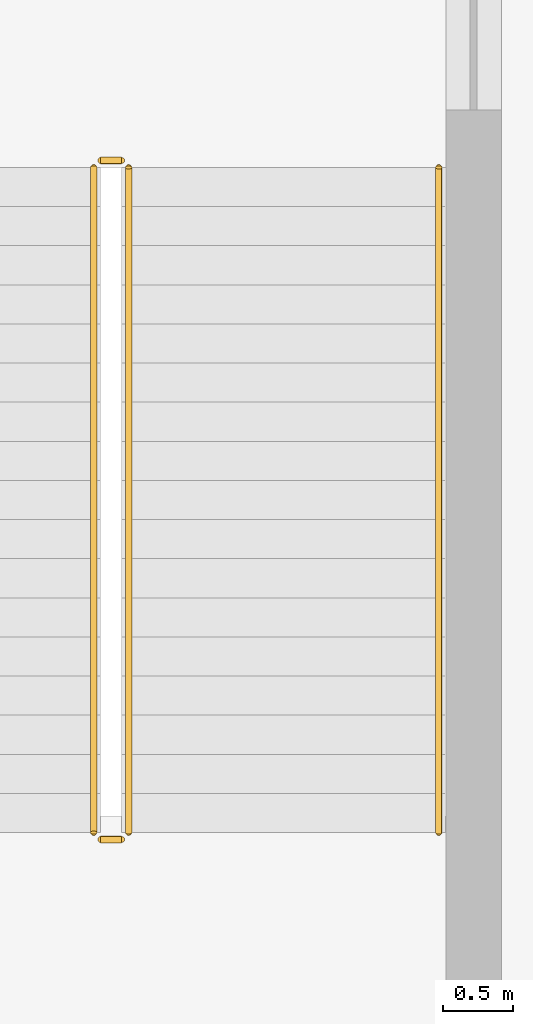
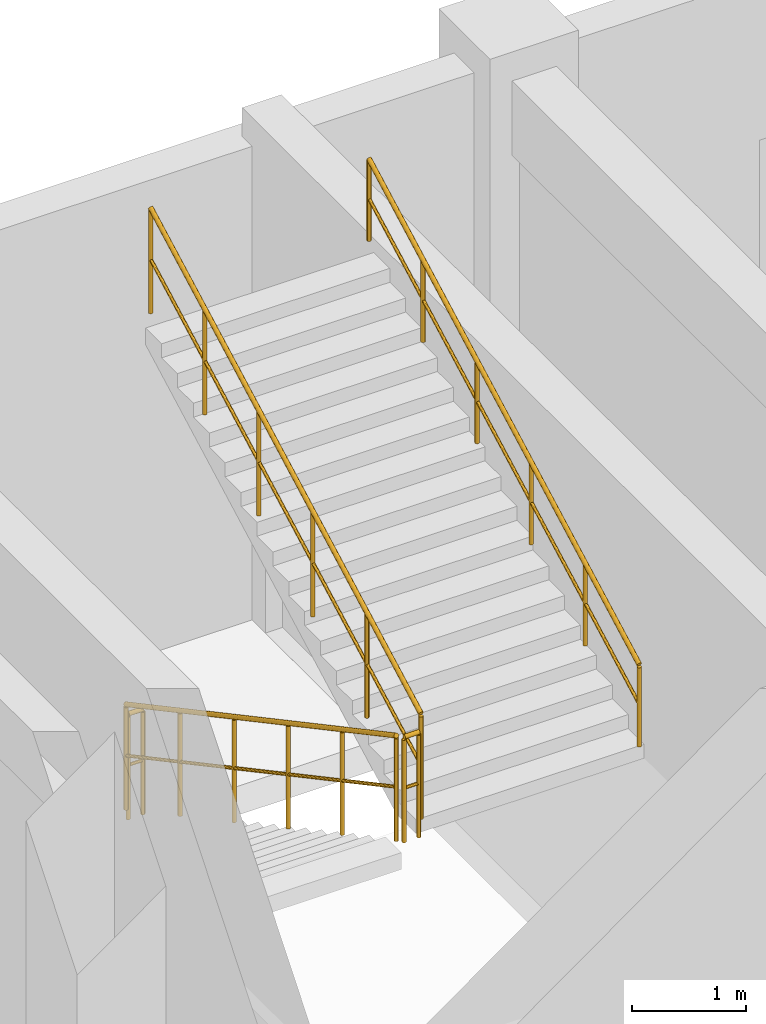
# One storey, part 111 of 114: 5 railings.
"""IFC4 building model written with IfcOpenShell, lengths in metres."""

from ifc_helpers import new_model, si_unit, derived_unit, direction, frame, origin, origin_2d, place, context, subcontext, project, spatial, circle, extrude, material, type_object, element, save


model = new_model("IFC4")

# Units and contexts
model_context = context("Model", 3, precision=1e-05, world=origin(), true_north=direction((0.0, 1.0)))
body_context = subcontext(model_context, "Body", "Model", "MODEL_VIEW")
ifc_project = project(units=[si_unit("LENGTHUNIT", "METRE"), si_unit("AREAUNIT", "SQUARE_METRE"), si_unit("VOLUMEUNIT", "CUBIC_METRE"), si_unit("PLANEANGLEUNIT", "RADIAN"), si_unit("MASSUNIT", "GRAM", prefix="KILO"), derived_unit("THERMALTRANSMITTANCEUNIT", [(si_unit("MASSUNIT", "GRAM", prefix="KILO"), 1), (si_unit("TIMEUNIT", "SECOND"), -3), (si_unit("THERMODYNAMICTEMPERATUREUNIT", "KELVIN"), -1)])], contexts=[model_context])

# Site, building, storey
site_placement = place(None, origin())
site = spatial("IfcSite", under=ifc_project, at=site_placement, CompositionType="ELEMENT")
building_placement = place(site_placement, origin())
building = spatial("IfcBuilding", under=site, at=building_placement, Name="Qinzheling Arcade Emporium", CompositionType="ELEMENT")
storey_placement = place(building_placement, frame((0.0, 0.0, 6.0)))
storey = spatial("IfcBuildingStorey", under=building, at=storey_placement, Name="L02", CompositionType="ELEMENT", Elevation=6.0)

# Railings
ifc_material_1 = material(Name="Galvanised powder-coated tubular steel", Category="steel")
railing_type_1 = type_object("IfcRailingType", Name="Painted Steel Stairwell Guard Railing 1150", PredefinedType="GUARDRAIL", material=ifc_material_1)
railing_1_placement = place(storey_placement, frame((73.070068359375, 112.280029296875, 0.14990234375)))
element("IfcRailing", 1, at=railing_1_placement, inside=storey, type_object=railing_type_1, Name="L02 ST07 stair guard 1", PredefinedType="GUARDRAIL", context=body_context, shape_type="SweptSolid", body=[
    extrude(circle(Radius=0.02392578125, at=origin_2d()), frame((0.0, 0.0, 1.1259765625), z_axis=(0.0, -0.881476609435, 0.47222768557), x_axis=(1.0, 0.0, 0.0)), (0.0, 0.0, 1.0), 5.400146484375),
    extrude(circle(Radius=0.01611328125, at=origin_2d()), frame((0.0, 0.0, 0.574951171875), z_axis=(0.0, -0.881476609435, 0.47222768557), x_axis=(1.0, 0.0, 0.0)), (0.0, 0.0, 1.0), 5.400146484375),
    extrude(circle(Radius=0.02099609375, at=origin_2d()), origin(), (0.0, 0.0, 1.0), 1.101806640625),
    extrude(circle(Radius=0.02099609375, at=origin_2d()), frame((0.0, -0.951904296875, 0.510009765625)), (0.0, 0.0, 1.0), 1.101806640625),
    extrude(circle(Radius=0.02099609375, at=origin_2d()), frame((0.0, -1.904052734375, 1.02001953125)), (0.0, 0.0, 1.0), 1.101806640625),
    extrude(circle(Radius=0.02099609375, at=origin_2d()), frame((0.0, -2.85595703125, 1.530029296875)), (0.0, 0.0, 1.0), 1.101806640625),
    extrude(circle(Radius=0.02099609375, at=origin_2d()), frame((0.0, -3.80810546875, 2.0400390625)), (0.0, 0.0, 1.0), 1.101806640625),
    extrude(circle(Radius=0.02099609375, at=origin_2d()), frame((0.0, -4.760009765625, 2.550048828125)), (0.0, 0.0, 1.0), 1.101806640625),
])
railing_2_placement = place(storey_placement, frame((73.1201171875, 107.469970703125, 2.699951171875)))
element("IfcRailing", 2, at=railing_2_placement, inside=storey, type_object=railing_type_1, Name="L02 ST07 stair guard 2", PredefinedType="GUARDRAIL", context=body_context, shape_type="SweptSolid", body=[
    extrude(circle(Radius=0.02392578125, at=origin_2d()), frame((0.0, 0.0, 1.1259765625), z_axis=(1.0, 0.0, 0.0), x_axis=(0.0, 1.0, 0.0)), (0.0, 0.0, 1.0), 0.14990234375),
    extrude(circle(Radius=0.01611328125, at=origin_2d()), frame((0.0, 0.0, 0.574951171875), z_axis=(1.0, 0.0, 0.0), x_axis=(0.0, 1.0, 0.0)), (0.0, 0.0, 1.0), 0.14990234375),
    extrude(circle(Radius=0.02099609375, at=origin_2d()), origin(), (0.0, 0.0, 1.0), 1.101806640625),
    extrude(circle(Radius=0.02099609375, at=origin_2d()), frame((0.14990234375, 0.0, 0.0)), (0.0, 0.0, 1.0), 1.101806640625),
])
railing_3_placement = place(storey_placement, frame((73.320068359375, 107.52001953125, 2.85009765625)))
element("IfcRailing", 3, at=railing_3_placement, inside=storey, type_object=railing_type_1, Name="L02 ST07 stair guard 3", PredefinedType="GUARDRAIL", context=body_context, shape_type="SweptSolid", body=[
    extrude(circle(Radius=0.02392578125, at=origin_2d()), frame((0.0, 0.0, 1.1259765625), z_axis=(0.0, 0.881495428514, 0.472192555542), x_axis=(-1.0, 0.0, 0.0)), (0.0, 0.0, 1.0), 5.39990234375),
    extrude(circle(Radius=0.01611328125, at=origin_2d()), frame((0.0, 0.0, 0.574951171875), z_axis=(0.0, 0.881495428514, 0.472192555542), x_axis=(-1.0, 0.0, 0.0)), (0.0, 0.0, 1.0), 5.39990234375),
    extrude(circle(Radius=0.02099609375, at=origin_2d()), origin(), (0.0, 0.0, 1.0), 1.101806640625),
    extrude(circle(Radius=0.02099609375, at=origin_2d()), frame((0.0, 0.951904296875, 0.510009765625)), (0.0, 0.0, 1.0), 1.101806640625),
    extrude(circle(Radius=0.02099609375, at=origin_2d()), frame((0.0, 1.904052734375, 1.02001953125)), (0.0, 0.0, 1.0), 1.101806640625),
    extrude(circle(Radius=0.02099609375, at=origin_2d()), frame((0.0, 2.85595703125, 1.52978515625)), (0.0, 0.0, 1.0), 1.101806640625),
    extrude(circle(Radius=0.02099609375, at=origin_2d()), frame((0.0, 3.80810546875, 2.039794921875)), (0.0, 0.0, 1.0), 1.101806640625),
    extrude(circle(Radius=0.02099609375, at=origin_2d()), frame((0.0, 4.760009765625, 2.5498046875)), (0.0, 0.0, 1.0), 1.101806640625),
])
railing_4_placement = place(storey_placement, frame((73.1201171875, 112.330078125, 0.0)))
element("IfcRailing", 4, at=railing_4_placement, inside=storey, type_object=railing_type_1, Name="L02 ST07 stair guard 4", PredefinedType="GUARDRAIL", context=body_context, shape_type="SweptSolid", body=[
    extrude(circle(Radius=0.02392578125, at=origin_2d()), frame((0.0, 0.0, 1.1259765625), z_axis=(1.0, 0.0, 0.0), x_axis=(0.0, 1.0, 0.0)), (0.0, 0.0, 1.0), 0.14990234375),
    extrude(circle(Radius=0.01611328125, at=origin_2d()), frame((0.0, 0.0, 0.574951171875), z_axis=(1.0, 0.0, 0.0), x_axis=(0.0, 1.0, 0.0)), (0.0, 0.0, 1.0), 0.14990234375),
    extrude(circle(Radius=0.02099609375, at=origin_2d()), origin(), (0.0, 0.0, 1.0), 1.101806640625),
    extrude(circle(Radius=0.02099609375, at=origin_2d()), frame((0.14990234375, 0.0, 0.0)), (0.0, 0.0, 1.0), 1.101806640625),
])
ifc_material_2 = material(Name="Brushed stainless steel 304", Category="steel")
railing_type_2 = type_object("IfcRailingType", Name="Stainless Steel Wall Handrail 900", PredefinedType="HANDRAIL", material=ifc_material_2)
railing_5_placement = place(storey_placement, frame((75.5400390625, 107.52001953125, 2.85009765625)))
element("IfcRailing", 5, at=railing_5_placement, inside=storey, type_object=railing_type_2, Name="L02 ST07 stair handrail 2", PredefinedType="HANDRAIL", context=body_context, shape_type="SweptSolid", body=[
    extrude(circle(Radius=0.02392578125, at=origin_2d()), frame((0.0, 0.0, 0.8759765625), z_axis=(0.0, 0.881495428514, 0.472192555542), x_axis=(-1.0, 0.0, 0.0)), (0.0, 0.0, 1.0), 5.39990234375),
    extrude(circle(Radius=0.01611328125, at=origin_2d()), frame((0.0, 0.0, 0.449951171875), z_axis=(0.0, 0.881495428514, 0.472192555542), x_axis=(-1.0, 0.0, 0.0)), (0.0, 0.0, 1.0), 5.39990234375),
    extrude(circle(Radius=0.02099609375, at=origin_2d()), origin(), (0.0, 0.0, 1.0), 0.851806640625),
    extrude(circle(Radius=0.02099609375, at=origin_2d()), frame((0.0, 0.951904296875, 0.510009765625)), (0.0, 0.0, 1.0), 0.851806640625),
    extrude(circle(Radius=0.02099609375, at=origin_2d()), frame((0.0, 1.904052734375, 1.02001953125)), (0.0, 0.0, 1.0), 0.851806640625),
    extrude(circle(Radius=0.02099609375, at=origin_2d()), frame((0.0, 2.85595703125, 1.52978515625)), (0.0, 0.0, 1.0), 0.851806640625),
    extrude(circle(Radius=0.02099609375, at=origin_2d()), frame((0.0, 3.80810546875, 2.039794921875)), (0.0, 0.0, 1.0), 0.851806640625),
    extrude(circle(Radius=0.02099609375, at=origin_2d()), frame((0.0, 4.760009765625, 2.5498046875)), (0.0, 0.0, 1.0), 0.851806640625),
])

save(model, "model.ifc")
